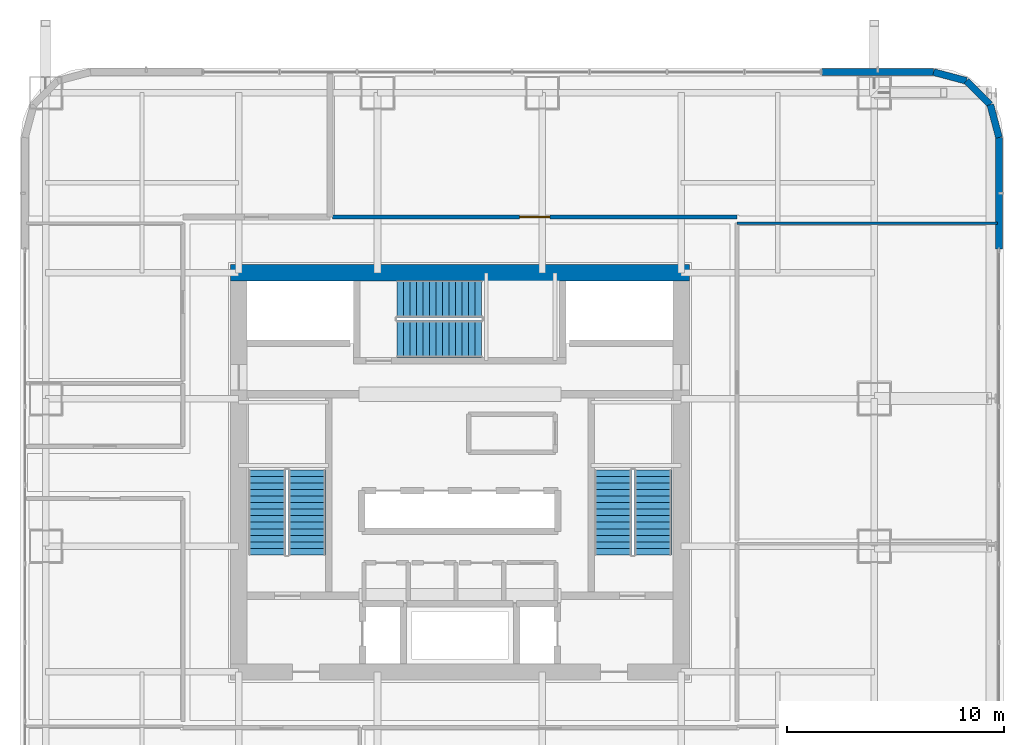
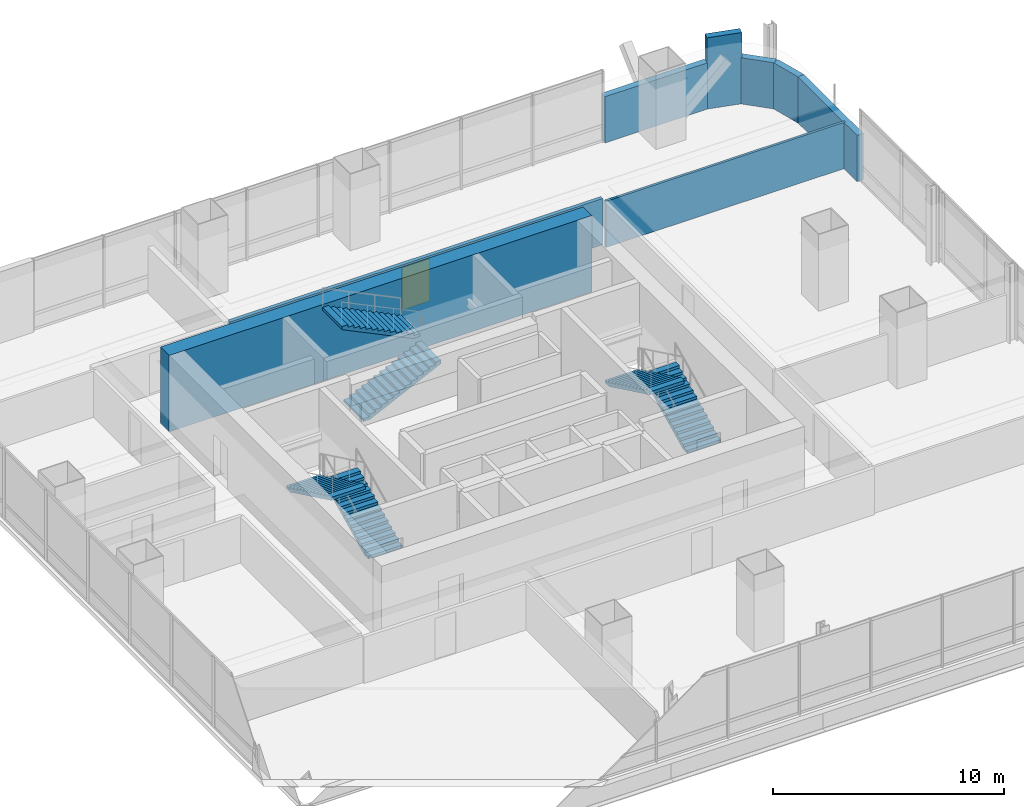
# One storey, part 30 of 42: 8 walls, 6 stair flights, 1 door, 1 opening, 3 elements without a shape of their own.
"""IFC4 building model written with IfcOpenShell, lengths in metres."""

from ifc_helpers import new_model, si_unit, direction, frame, frame_2d, origin, place, context, subcontext, project, spatial, polyline, rectangle, outline, extrude, material, layer, layer_set, type_object, element, fill, aggregate, save


model = new_model("IFC4")

# Units and contexts
model_context = context("Model", 3, precision=1e-05, world=origin(), true_north=direction((0.0, 1.0)))
body_context = subcontext(model_context, "Body", "Model", "MODEL_VIEW")
ifc_project = project(units=[si_unit("LENGTHUNIT", "METRE"), si_unit("AREAUNIT", "SQUARE_METRE"), si_unit("VOLUMEUNIT", "CUBIC_METRE"), si_unit("PLANEANGLEUNIT", "RADIAN"), si_unit("MASSUNIT", "GRAM", prefix="KILO")], contexts=[model_context])

# Site, building, storey
site_placement = place(None, origin())
site = spatial("IfcSite", under=ifc_project, at=site_placement, CompositionType="ELEMENT")
building_placement = place(site_placement, origin())
building = spatial("IfcBuilding", under=site, at=building_placement, Name="Punatoya Terracotta Tower", CompositionType="ELEMENT")
storey_placement = place(building_placement, frame((0.0, 0.0, 88.949951171875)))
storey = spatial("IfcBuildingStorey", under=building, at=storey_placement, Name="L20", CompositionType="ELEMENT", Elevation=88.949951171875)

# Wall
ifc_material_1 = material(Name="Concrete C60/75", Category="concrete")
ifc_layer_1 = layer(ifc_material_1, 0.75)
ifc_layer_set_1 = layer_set([ifc_layer_1], Name="Concrete C60/75")
wall_type_1 = type_object("IfcWallType", Name="WL-COR-750", PredefinedType="SHEAR", material=ifc_layer_set_1)
wall_1_placement = place(storey_placement, frame((-10.574951171875, 9.199951171875, 0.0), z_axis=(0.0, 0.0, 1.0), x_axis=(1.0, 0.0, 0.0)))
element("IfcWall", 1, at=wall_1_placement, inside=storey, type_object=wall_type_1, Name="L20 Core Shear Wall N", PredefinedType="SHEAR", context=body_context, shape_type="SweptSolid", body=[
    extrude(rectangle(XDim=21.14990234375, YDim=0.75, at=frame_2d((10.574951171875, 0.0))), origin(), (0.0, 0.0, 1.0), 4.050048828125),
])

# Wall, opening, door
ifc_material_2 = material(Name="Gypsum Fireboard + Steel Stud", Category="steel")
ifc_layer_2 = layer(ifc_material_2, 0.179931640625)
ifc_layer_set_2 = layer_set([ifc_layer_2], Name="Gypsum Fireboard + Steel Stud")
wall_type_2 = type_object("IfcWallType", Name="WL-CORR-180", PredefinedType="PARTITIONING", material=ifc_layer_set_2)
wall_2_placement = place(storey_placement, frame((12.77001953125, 11.77001953125, 0.0), z_axis=(0.0, 0.0, 1.0), x_axis=(-1.0, 0.0, 0.0)))
wall_2 = element("IfcWall", 2, at=wall_2_placement, inside=storey, type_object=wall_type_2, Name="L20 Seminar Discussion Room Partition 32", PredefinedType="PARTITIONING", context=body_context, shape_type="SweptSolid", body=[
    extrude(rectangle(XDim=18.64404296875, YDim=0.179931640625, at=frame_2d((9.322021484375, 0.0))), origin(), (0.0, 0.0, 1.0), 2.444091796875),
])
opening_placement = place(wall_2_placement, frame((8.6220703125, 0.0, 0.0)))
opening = element("IfcOpeningElement", 3, at=opening_placement, cuts=wall_2, Name="Opening BD-01", PredefinedType="OPENING", context=body_context, shape_type="SweptSolid", body=[
    extrude(rectangle(XDim=1.39990234375, YDim=2.25, at=frame_2d((0.699951171875, 1.125))), frame((0.0, 0.099853515625, 0.0), z_axis=(0.0, -1.0, 0.0), x_axis=(1.0, 0.0, 0.0)), (0.0, 0.0, 1.0), 0.199951171875),
])
ifc_material_3 = material(Name="Bengal Teak Acoustic Leaf")
door_type = type_object("IfcDoorType", Name="DR-BRD-1400", OperationType="NOTDEFINED", PredefinedType="DOOR", material=ifc_material_3)
door_placement = place(opening_placement, origin())
door = element("IfcDoor", 4, at=door_placement, inside=storey, type_object=door_type, Name="L20 Seminar Discussion Room Door", OperationType="SINGLE_SWING_LEFT", OverallHeight=2.25, OverallWidth=1.39990234375, PredefinedType="DOOR", context=body_context, shape_type="SweptSolid", body=[
    extrude(rectangle(XDim=1.39990234375, YDim=2.25, at=frame_2d((0.699951171875, 1.125))), frame((0.0, 0.02490234375, 0.0), z_axis=(0.0, -1.0, 0.0), x_axis=(1.0, 0.0, 0.0)), (0.0, 0.0, 1.0), 0.050048828125),
])
fill(opening, door)

# Walls
ifc_material_4 = material(Name="Precast concrete C40/50", Category="concrete")
ifc_layer_3 = layer(ifc_material_4, 0.320068359375)
ifc_layer_set_3 = layer_set([ifc_layer_3], Name="Precast concrete C40/50")
wall_type_3 = type_object("IfcWallType", Name="WL-EXT-320", PredefinedType="SOLIDWALL", material=ifc_layer_set_3)
wall_3_placement = place(storey_placement, frame((24.85009765625, 10.300048828125, 0.0), z_axis=(0.0, 0.0, 1.0), x_axis=(0.0, 1.0, 0.0)))
element("IfcWall", 5, at=wall_3_placement, inside=storey, type_object=wall_type_3, Name="L20 Terracotta Braced Facade Wall E2", PredefinedType="SOLIDWALL", context=body_context, shape_type="SweptSolid", body=[
    extrude(rectangle(XDim=5.136962890625, YDim=0.320068359375, at=frame_2d((2.568359375, 0.0))), origin(), (0.0, 0.0, 1.0), 2.444091796875),
])
wall_4_placement = place(storey_placement, frame((24.85009765625, 15.43701171875, 0.0), z_axis=(0.0, 0.0, 1.0), x_axis=(-0.257847112249, 0.966185730957, 0.0)))
element("IfcWall", 6, at=wall_4_placement, inside=storey, type_object=wall_type_3, Name="L20 Rounded Terracotta Corner Pier 06", PredefinedType="SOLIDWALL", context=body_context, shape_type="SweptSolid", body=[
    extrude(rectangle(XDim=1.565185546875, YDim=0.320068359375, at=frame_2d((0.78271484375, 0.0))), origin(), (0.0, 0.0, 1.0), 2.444091796875),
])
wall_5_placement = place(storey_placement, frame((24.446533203125, 16.94921875, 0.0), z_axis=(0.0, 0.0, 1.0), x_axis=(-0.707106781187, 0.707106781187, 0.0)))
element("IfcWall", 7, at=wall_5_placement, inside=storey, type_object=wall_type_3, Name="L20 Rounded Terracotta Corner Pier 07", PredefinedType="SOLIDWALL", context=body_context, shape_type="SweptSolid", body=[
    extrude(rectangle(XDim=1.552001953125, YDim=0.320068359375, at=frame_2d((0.77587890625, 0.0))), origin(), (0.0, 0.0, 1.0), 2.444091796875),
])
wall_6_placement = place(storey_placement, frame((23.34912109375, 18.046630859375, 0.0), z_axis=(0.0, 0.0, 1.0), x_axis=(-0.966224582397, 0.257701486942, 0.0)))
element("IfcWall", 8, at=wall_6_placement, inside=storey, type_object=wall_type_3, Name="L20 Rounded Terracotta Corner Pier 08", PredefinedType="SOLIDWALL", context=body_context, shape_type="SweptSolid", body=[
    extrude(rectangle(XDim=1.565185546875, YDim=0.320068359375, at=frame_2d((0.78271484375, 0.0))), origin(), (0.0, 0.0, 1.0), 3.77001953125),
])
wall_7_placement = place(storey_placement, frame((21.8369140625, 18.449951171875, 0.0), z_axis=(0.0, 0.0, 1.0), x_axis=(-1.0, 0.0, 0.0)))
element("IfcWall", 9, at=wall_7_placement, inside=storey, type_object=wall_type_3, Name="L20 Terracotta Braced Facade Wall N1", PredefinedType="SOLIDWALL", context=body_context, shape_type="SweptSolid", body=[
    extrude(rectangle(XDim=5.136962890625, YDim=0.320068359375, at=frame_2d((2.568359375, 0.0))), origin(), (0.0, 0.0, 1.0), 2.444091796875),
])
ifc_material_5 = material(Name="Gypsum Partition + Steel Stud", Category="steel")
ifc_layer_4 = layer(ifc_material_5, 0.1201171875)
ifc_layer_set_4 = layer_set([ifc_layer_4], Name="Gypsum Partition + Steel Stud")
wall_type_4 = type_object("IfcWallType", Name="WL-OFF-120", PredefinedType="PARTITIONING", material=ifc_layer_set_4)
wall_8_placement = place(storey_placement, frame((12.77001953125, 11.489990234375, 0.0), z_axis=(0.0, 0.0, 1.0), x_axis=(1.0, 0.0, 0.0)))
element("IfcWall", 10, at=wall_8_placement, inside=storey, type_object=wall_type_4, Name="L20 Mindfulness Wellness Room Partition 26", PredefinedType="PARTITIONING", context=body_context, shape_type="SweptSolid", body=[
    extrude(rectangle(XDim=12.0, YDim=0.1201171875, at=frame_2d((6.0, 0.0))), origin(), (0.0, 0.0, 1.0), 2.444091796875),
])

# Stair, stair flights
ifc_material_6 = material(Name="Concrete C40/50", Category="concrete")
stair_type_1 = type_object("IfcStairType", Name="STR-CORE-1550", PredefinedType="HALF_TURN_STAIR", material=ifc_material_6)
stair_1_placement = place(storey_placement, origin())
stair_1 = element("IfcStair", 11, at=stair_1_placement, inside=storey, type_object=stair_type_1, Name="L20 Protected Core Exit Stair ST-1", PredefinedType="HALF_TURN_STAIR")
stair_flight_type_1 = type_object("IfcStairFlightType", Name="SFL-CORE-1550", PredefinedType="STRAIGHT", material=ifc_material_6)
stair_flight_1_placement = place(storey_placement, frame((-7.050048828125, -3.800048828125, 0.0), z_axis=(0.0, 0.0, 1.0), x_axis=(0.0, 1.0, 0.0)))
stair_flight_1 = element("IfcStairFlight", 12, at=stair_flight_1_placement, type_object=stair_flight_type_1, Name="ST-1 flight 1", NumberOfRisers=14, NumberOfTreads=13, PredefinedType="STRAIGHT", RiserHeight=0.144642857, TreadLength=0.3, context=body_context, shape_type="SweptSolid", body=[
    extrude(outline(polyline([(0.0, 0.0), (0.0, 0.14453125), (0.300048828125, 0.14453125), (0.300048828125, 0.289306640625), (0.60009765625, 0.289306640625), (0.60009765625, 0.433837890625), (0.89990234375, 0.433837890625), (0.89990234375, 0.57861328125), (1.199951171875, 0.57861328125), (1.199951171875, 0.72314453125), (1.5, 0.72314453125), (1.5, 0.867919921875), (1.800048828125, 0.867919921875), (1.800048828125, 1.012451171875), (2.10009765625, 1.012451171875), (2.10009765625, 1.1572265625), (2.39990234375, 1.1572265625), (2.39990234375, 1.3017578125), (2.699951171875, 1.3017578125), (2.699951171875, 1.446533203125), (3.0, 1.446533203125), (3.0, 1.591064453125), (3.300048828125, 1.591064453125), (3.300048828125, 1.735595703125), (3.60009765625, 1.735595703125), (3.60009765625, 1.88037109375), (3.89990234375, 1.88037109375), (3.89990234375, 2.02490234375), (3.89990234375, 1.7138671875), (0.34521484375, 0.0), (0.0, 0.0)])), frame((0.0, 0.85009765625, 0.0), z_axis=(0.0, -1.0, 0.0), x_axis=(1.0, 0.0, 0.0)), (0.0, 0.0, 1.0), 1.699951171875),
])
stair_flight_2_placement = place(storey_placement, frame((-8.89990234375, 0.10009765625, 2.025146484375), z_axis=(0.0, 0.0, 1.0), x_axis=(0.0, -1.0, 0.0)))
stair_flight_2 = element("IfcStairFlight", 13, at=stair_flight_2_placement, type_object=stair_flight_type_1, Name="ST-1 flight 2", NumberOfRisers=14, NumberOfTreads=13, PredefinedType="STRAIGHT", RiserHeight=0.144642857, TreadLength=0.3, context=body_context, shape_type="SweptSolid", body=[
    extrude(outline(polyline([(0.0, 0.0), (0.0, 0.14453125), (0.300048828125, 0.14453125), (0.300048828125, 0.289306640625), (0.60009765625, 0.289306640625), (0.60009765625, 0.433837890625), (0.89990234375, 0.433837890625), (0.89990234375, 0.57861328125), (1.199951171875, 0.57861328125), (1.199951171875, 0.72314453125), (1.5, 0.72314453125), (1.5, 0.867919921875), (1.800048828125, 0.867919921875), (1.800048828125, 1.012451171875), (2.10009765625, 1.012451171875), (2.10009765625, 1.1572265625), (2.39990234375, 1.1572265625), (2.39990234375, 1.3017578125), (2.699951171875, 1.3017578125), (2.699951171875, 1.446533203125), (3.0, 1.446533203125), (3.0, 1.591064453125), (3.300048828125, 1.591064453125), (3.300048828125, 1.735595703125), (3.60009765625, 1.735595703125), (3.60009765625, 1.88037109375), (3.89990234375, 1.88037109375), (3.89990234375, 2.02490234375), (3.89990234375, 1.7138671875), (0.34521484375, 0.0), (0.0, 0.0)])), frame((0.0, 0.85009765625, 0.0), z_axis=(0.0, -1.0, 0.0), x_axis=(1.0, 0.0, 0.0)), (0.0, 0.0, 1.0), 1.699951171875),
])
aggregate(stair_1, [stair_flight_1, stair_flight_2])

stair_type_2 = type_object("IfcStairType", Name="STR-LOB-1650", PredefinedType="HALF_TURN_STAIR", material=ifc_material_6)
stair_2_placement = place(storey_placement, origin())
stair_2 = element("IfcStair", 14, at=stair_2_placement, inside=storey, type_object=stair_type_2, Name="L20 Protected Core Exit Stair ST-2", PredefinedType="HALF_TURN_STAIR")
stair_flight_type_2 = type_object("IfcStairFlightType", Name="SFL-LOB-1650", PredefinedType="STRAIGHT", material=ifc_material_6)
stair_flight_3_placement = place(storey_placement, frame((8.89990234375, -3.800048828125, 0.0), z_axis=(0.0, 0.0, 1.0), x_axis=(0.0, 1.0, 0.0)))
stair_flight_3 = element("IfcStairFlight", 15, at=stair_flight_3_placement, type_object=stair_flight_type_2, Name="ST-2 flight 1", NumberOfRisers=14, NumberOfTreads=13, PredefinedType="STRAIGHT", RiserHeight=0.144642857, TreadLength=0.3, context=body_context, shape_type="SweptSolid", body=[
    extrude(outline(polyline([(0.0, 0.0), (0.0, 0.14453125), (0.300048828125, 0.14453125), (0.300048828125, 0.289306640625), (0.60009765625, 0.289306640625), (0.60009765625, 0.433837890625), (0.89990234375, 0.433837890625), (0.89990234375, 0.57861328125), (1.199951171875, 0.57861328125), (1.199951171875, 0.72314453125), (1.5, 0.72314453125), (1.5, 0.867919921875), (1.800048828125, 0.867919921875), (1.800048828125, 1.012451171875), (2.10009765625, 1.012451171875), (2.10009765625, 1.1572265625), (2.39990234375, 1.1572265625), (2.39990234375, 1.3017578125), (2.699951171875, 1.3017578125), (2.699951171875, 1.446533203125), (3.0, 1.446533203125), (3.0, 1.591064453125), (3.300048828125, 1.591064453125), (3.300048828125, 1.735595703125), (3.60009765625, 1.735595703125), (3.60009765625, 1.88037109375), (3.89990234375, 1.88037109375), (3.89990234375, 2.02490234375), (3.89990234375, 1.7138671875), (0.34521484375, 0.0), (0.0, 0.0)])), frame((0.0, 0.85009765625, 0.0), z_axis=(0.0, -1.0, 0.0), x_axis=(1.0, 0.0, 0.0)), (0.0, 0.0, 1.0), 1.699951171875),
])
stair_flight_4_placement = place(storey_placement, frame((7.050048828125, 0.10009765625, 2.025146484375), z_axis=(0.0, 0.0, 1.0), x_axis=(0.0, -1.0, 0.0)))
stair_flight_4 = element("IfcStairFlight", 16, at=stair_flight_4_placement, type_object=stair_flight_type_2, Name="ST-2 flight 2", NumberOfRisers=14, NumberOfTreads=13, PredefinedType="STRAIGHT", RiserHeight=0.144642857, TreadLength=0.3, context=body_context, shape_type="SweptSolid", body=[
    extrude(outline(polyline([(0.0, 0.0), (0.0, 0.14453125), (0.300048828125, 0.14453125), (0.300048828125, 0.289306640625), (0.60009765625, 0.289306640625), (0.60009765625, 0.433837890625), (0.89990234375, 0.433837890625), (0.89990234375, 0.57861328125), (1.199951171875, 0.57861328125), (1.199951171875, 0.72314453125), (1.5, 0.72314453125), (1.5, 0.867919921875), (1.800048828125, 0.867919921875), (1.800048828125, 1.012451171875), (2.10009765625, 1.012451171875), (2.10009765625, 1.1572265625), (2.39990234375, 1.1572265625), (2.39990234375, 1.3017578125), (2.699951171875, 1.3017578125), (2.699951171875, 1.446533203125), (3.0, 1.446533203125), (3.0, 1.591064453125), (3.300048828125, 1.591064453125), (3.300048828125, 1.735595703125), (3.60009765625, 1.735595703125), (3.60009765625, 1.88037109375), (3.89990234375, 1.88037109375), (3.89990234375, 2.02490234375), (3.89990234375, 1.7138671875), (0.34521484375, 0.0), (0.0, 0.0)])), frame((0.0, 0.85009765625, 0.0), z_axis=(0.0, -1.0, 0.0), x_axis=(1.0, 0.0, 0.0)), (0.0, 0.0, 1.0), 1.699951171875),
])
aggregate(stair_2, [stair_flight_3, stair_flight_4])

stair_type_3 = type_object("IfcStairType", Name="STR-TER-1450", PredefinedType="HALF_TURN_STAIR", material=ifc_material_6)
stair_3_placement = place(storey_placement, origin())
stair_3 = element("IfcStair", 17, at=stair_3_placement, inside=storey, type_object=stair_type_3, Name="L20 Protected Core Exit Stair ST-3", PredefinedType="HALF_TURN_STAIR")
stair_flight_type_3 = type_object("IfcStairFlightType", Name="SFL-TER-1450", PredefinedType="STRAIGHT", material=ifc_material_6)
stair_flight_5_placement = place(storey_placement, frame((-2.89990234375, 6.14990234375, 0.0), z_axis=(0.0, 0.0, 1.0), x_axis=(1.0, 0.0, 0.0)))
stair_flight_5 = element("IfcStairFlight", 18, at=stair_flight_5_placement, type_object=stair_flight_type_3, Name="ST-3 flight 1", NumberOfRisers=14, NumberOfTreads=13, PredefinedType="STRAIGHT", RiserHeight=0.144642857, TreadLength=0.3, context=body_context, shape_type="SweptSolid", body=[
    extrude(outline(polyline([(0.0, 0.0), (0.0, 0.14453125), (0.300048828125, 0.14453125), (0.300048828125, 0.289306640625), (0.60009765625, 0.289306640625), (0.60009765625, 0.433837890625), (0.89990234375, 0.433837890625), (0.89990234375, 0.57861328125), (1.199951171875, 0.57861328125), (1.199951171875, 0.72314453125), (1.5, 0.72314453125), (1.5, 0.867919921875), (1.800048828125, 0.867919921875), (1.800048828125, 1.012451171875), (2.10009765625, 1.012451171875), (2.10009765625, 1.1572265625), (2.39990234375, 1.1572265625), (2.39990234375, 1.3017578125), (2.699951171875, 1.3017578125), (2.699951171875, 1.446533203125), (3.0, 1.446533203125), (3.0, 1.591064453125), (3.300048828125, 1.591064453125), (3.300048828125, 1.735595703125), (3.60009765625, 1.735595703125), (3.60009765625, 1.88037109375), (3.89990234375, 1.88037109375), (3.89990234375, 2.02490234375), (3.89990234375, 1.7138671875), (0.34521484375, 0.0), (0.0, 0.0)])), frame((0.0, 0.85009765625, 0.0), z_axis=(0.0, -1.0, 0.0), x_axis=(1.0, 0.0, 0.0)), (0.0, 0.0, 1.0), 1.699951171875),
])
stair_flight_6_placement = place(storey_placement, frame((1.0, 8.0, 2.025146484375), z_axis=(0.0, 0.0, 1.0), x_axis=(-1.0, 0.0, 0.0)))
stair_flight_6 = element("IfcStairFlight", 19, at=stair_flight_6_placement, type_object=stair_flight_type_3, Name="ST-3 flight 2", NumberOfRisers=14, NumberOfTreads=13, PredefinedType="STRAIGHT", RiserHeight=0.144642857, TreadLength=0.3, context=body_context, shape_type="SweptSolid", body=[
    extrude(outline(polyline([(0.0, 0.0), (0.0, 0.14453125), (0.300048828125, 0.14453125), (0.300048828125, 0.289306640625), (0.60009765625, 0.289306640625), (0.60009765625, 0.433837890625), (0.89990234375, 0.433837890625), (0.89990234375, 0.57861328125), (1.199951171875, 0.57861328125), (1.199951171875, 0.72314453125), (1.5, 0.72314453125), (1.5, 0.867919921875), (1.800048828125, 0.867919921875), (1.800048828125, 1.012451171875), (2.10009765625, 1.012451171875), (2.10009765625, 1.1572265625), (2.39990234375, 1.1572265625), (2.39990234375, 1.3017578125), (2.699951171875, 1.3017578125), (2.699951171875, 1.446533203125), (3.0, 1.446533203125), (3.0, 1.591064453125), (3.300048828125, 1.591064453125), (3.300048828125, 1.735595703125), (3.60009765625, 1.735595703125), (3.60009765625, 1.88037109375), (3.89990234375, 1.88037109375), (3.89990234375, 2.02490234375), (3.89990234375, 1.7138671875), (0.34521484375, 0.0), (0.0, 0.0)])), frame((0.0, 0.85009765625, 0.0), z_axis=(0.0, -1.0, 0.0), x_axis=(1.0, 0.0, 0.0)), (0.0, 0.0, 1.0), 1.699951171875),
])
aggregate(stair_3, [stair_flight_5, stair_flight_6])

save(model, "model.ifc")
